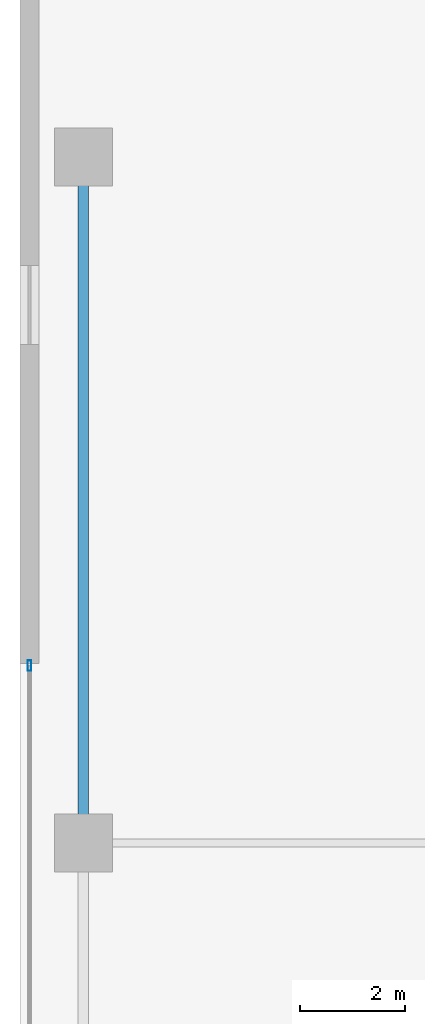
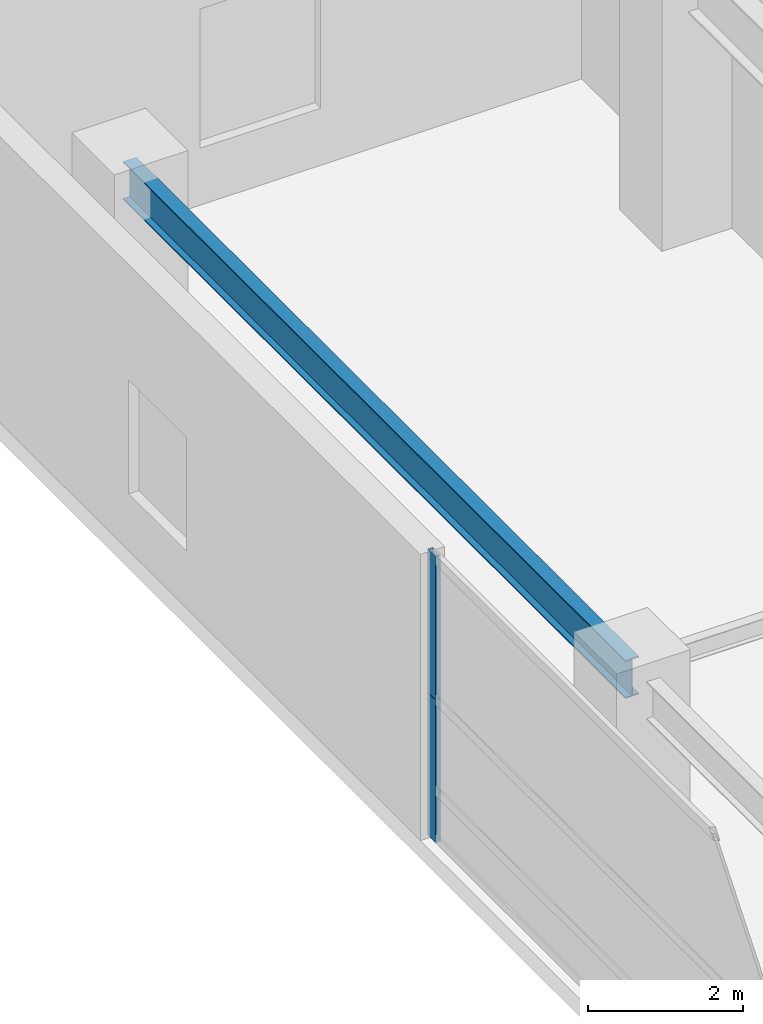
# One storey, part 15 of 37: 2 members, 1 beam, 1 element without a shape of its own.
"""IFC4 building model written with IfcOpenShell, lengths in metres."""

from ifc_helpers import new_model, si_unit, direction, frame, origin, origin_2d, place, context, subcontext, project, spatial, hollow_rectangle, i_section, extrude, source, transform, mapped, material, layer, layer_set, material_profile, profile_set, type_object, element, aggregate, save


model = new_model("IFC4")

# Units and contexts
model_context = context("Model", 3, precision=1e-05, world=origin(), true_north=direction((0.0, 1.0)))
body_context = subcontext(model_context, "Body", "Model", "MODEL_VIEW")
ifc_project = project(units=[si_unit("LENGTHUNIT", "METRE"), si_unit("AREAUNIT", "SQUARE_METRE"), si_unit("VOLUMEUNIT", "CUBIC_METRE"), si_unit("PLANEANGLEUNIT", "RADIAN"), si_unit("MASSUNIT", "GRAM", prefix="KILO"), si_unit("THERMODYNAMICTEMPERATUREUNIT", "KELVIN"), si_unit("POWERUNIT", "WATT")], contexts=[model_context])

# Site, building, storey
site_placement = place(None, origin())
site = spatial("IfcSite", under=ifc_project, at=site_placement, CompositionType="ELEMENT")
building_placement = place(site_placement, origin())
building = spatial("IfcBuilding", under=site, at=building_placement, Name="Yuzanri Waterfront Tower", CompositionType="ELEMENT")
storey_placement = place(building_placement, frame((0.0, 0.0, 5.39990234375)))
storey = spatial("IfcBuildingStorey", under=building, at=storey_placement, Name="L02", CompositionType="ELEMENT", Elevation=5.39990234375)

# Beam
ifc_material_1 = material(Name="Steel Q355B", Category="steel")
ifc_material_profile_1 = material_profile(ifc_material_1, i_section(OverallWidth=0.199951171875, OverallDepth=0.60009765625, WebThickness=0.010986328125, FlangeThickness=0.01708984375, at=origin_2d()), Name="HN 600x200x11x17")
ifc_profile_set_1 = profile_set([ifc_material_profile_1], Name="Steel Q355B")
beam_type = type_object("IfcBeamType", Name="Perimeter Spandrel Q355B HN 600x200", PredefinedType="SPANDREL", material=ifc_profile_set_1)
shared_shape_1 = source(origin(), body_context, "Body", "SweptSolid", [
    extrude(i_section(OverallWidth=0.199951171875, OverallDepth=0.60009765625, WebThickness=0.010986328125, FlangeThickness=0.01708984375, at=origin_2d()), origin(), (0.0, 0.0, 1.0), 13.0),
])
beam_placement = place(storey_placement, frame((3.199951171875, 32.199951171875, 4.22021484375), z_axis=(0.0, 1.0, 0.0), x_axis=(-1.0, 0.0, 0.0)))
element("IfcBeam", 1, at=beam_placement, inside=storey, type_object=beam_type, Name="L02 West Podium Spandrel 3", PredefinedType="SPANDREL", context=body_context, shape_type="MappedRepresentation", body=[
    mapped(shared_shape_1, transform((0.0, 0.0, 0.0), scale=1.0)),
])

# Curtain wall, members
ifc_material_2 = material(Name="Anodized Architectural Bronze", Category="metal")
ifc_layer = layer(ifc_material_2, 0.159912109375)
ifc_layer_set = layer_set([ifc_layer], Name="Anodized Architectural Bronze")
curtain_wall_type = type_object("IfcCurtainWallType", Name="Anodized Bronze Podium Waterfront Double-Height Unitized Curtain Wall 8400", PredefinedType="NOTDEFINED", material=ifc_layer_set)
curtain_wall_placement = place(storey_placement, origin())
curtain_wall = element("IfcCurtainWall", 2, at=curtain_wall_placement, inside=storey, type_object=curtain_wall_type, Name="L02 Curtain Wall CW-L02-W", PredefinedType="NOTDEFINED")
ifc_material_3 = material(Name="Anodized Architectural Bronze", Category="metal")
ifc_material_profile_2 = material_profile(ifc_material_3, hollow_rectangle(XDim=0.074951171875, YDim=0.199951171875, WallThickness=0.00390625, at=origin_2d()), Name="CWM 75x200")
ifc_profile_set_2 = profile_set([ifc_material_profile_2], Name="Anodized Architectural Bronze")
member_type = type_object("IfcMemberType", Name="Anodized Bronze Primary Curtain-Wall Mullion 75x200", PredefinedType="MULLION", material=ifc_profile_set_2)
shared_shape_2 = source(origin(), body_context, "Body", "SweptSolid", [
    extrude(hollow_rectangle(XDim=0.074951171875, YDim=0.199951171875, WallThickness=0.00390625, at=origin_2d()), origin(), (0.0, 0.0, 1.0), 2.258056640625),
])
member_1_placement = place(storey_placement, frame((2.179931640625, 35.56005859375, 0.0), z_axis=(0.0, 0.0, 1.0), x_axis=(1.0, 0.0, 0.0)))
member_1 = element("IfcMember", 3, at=member_1_placement, type_object=member_type, Name="CW-L02-W Lower Mullion 02", PredefinedType="MULLION", context=body_context, shape_type="MappedRepresentation", body=[
    mapped(shared_shape_2, transform((0.0, 0.0, 0.0), scale=1.0)),
])
shared_shape_3 = source(origin(), body_context, "Body", "SweptSolid", [
    extrude(hollow_rectangle(XDim=0.074951171875, YDim=0.199951171875, WallThickness=0.00390625, at=origin_2d()), origin(), (0.0, 0.0, 1.0), 2.2578125),
])
member_2_placement = place(storey_placement, frame((2.179931640625, 35.56005859375, 2.26220703125), z_axis=(0.0, 0.0, 1.0), x_axis=(1.0, 0.0, 0.0)))
member_2 = element("IfcMember", 4, at=member_2_placement, type_object=member_type, Name="CW-L02-W Upper Mullion 02", PredefinedType="MULLION", context=body_context, shape_type="MappedRepresentation", body=[
    mapped(shared_shape_3, transform((0.0, 0.0, 0.0), scale=1.0)),
])
aggregate(curtain_wall, [member_1, member_2])

save(model, "model.ifc")
